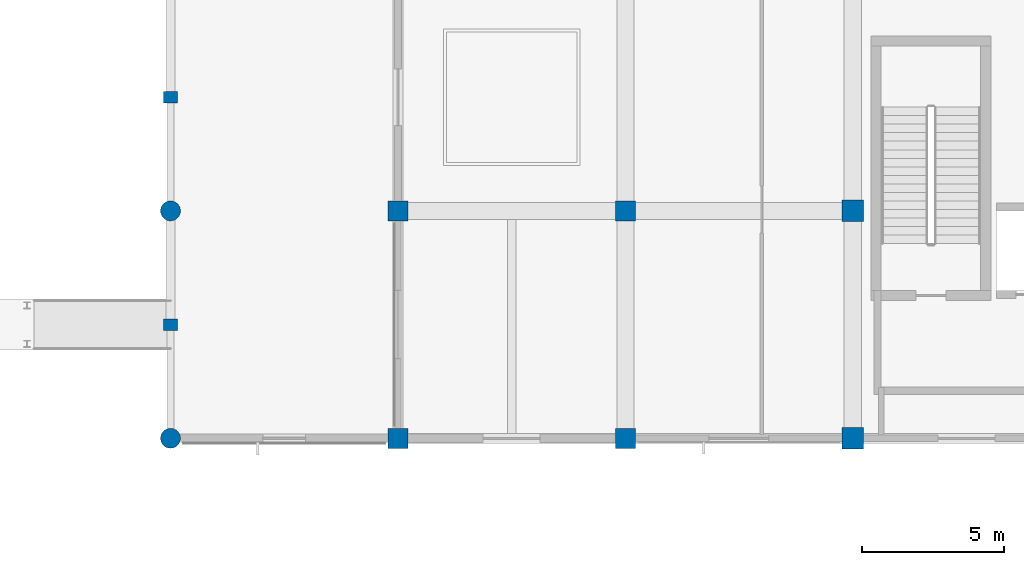
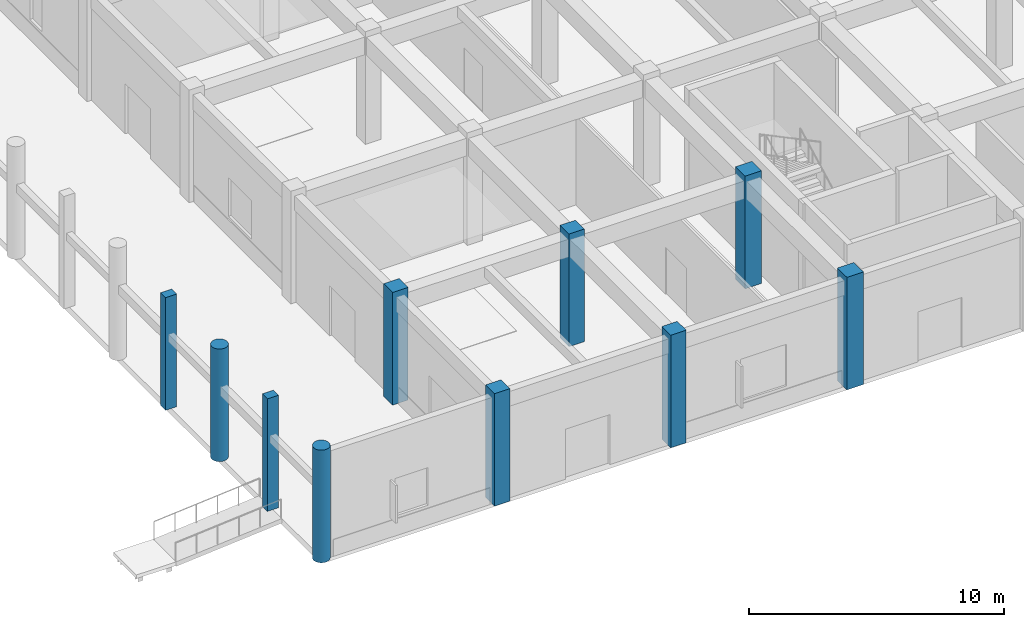
# One storey, part 1 of 86: 10 columns.
"""IFC4 building model written with IfcOpenShell, lengths in metres."""

import ifcopenshell
import ifcopenshell.guid

model = None  # the IFC model being written
_history = None  # IfcOwnerHistory: only IFC2X3 demands one
_inside = {}  # id of a spatial element -> (the spatial element, [elements in it])
_under = {}  # id of a project, library or spatial element -> (it, [spatial elements below it])
_declared = {}  # id of a project -> (the project, [libraries it declares])
_typed = {}  # id of a type object -> (the type object, [elements of that type])
_made_of = {}  # id of a material, layer set ... -> (it, [elements and type objects made of it])


def new_model(schema):
    """Start an empty IFC model of exactly this schema.

    Asked for "IFC4X3", IfcOpenShell would pick the latest addendum, in which some entities
    have other attributes; the version numbers below select the first issue.
    IFC2X3 requires an IfcOwnerHistory on every rooted entity: one is made here for all.
    """
    global model, _history
    if schema == "IFC4X3":
        model = ifcopenshell.file(schema_version=(4, 3, 0, 0))
    else:
        model = ifcopenshell.file(schema=schema)
    _inside.clear()
    _under.clear()
    _declared.clear()
    _typed.clear()
    _made_of.clear()
    _history = None
    if model.schema == "IFC2X3":
        org = make("IfcOrganization", Name="unknown")
        user = make(
            "IfcPersonAndOrganization",
            ThePerson=make("IfcPerson", FamilyName="unknown"),
            TheOrganization=org,
        )
        app = make(
            "IfcApplication",
            ApplicationDeveloper=org,
            Version="unknown",
            ApplicationFullName="unknown",
            ApplicationIdentifier="unknown",
        )
        _history = make(
            "IfcOwnerHistory",
            OwningUser=user,
            OwningApplication=app,
            ChangeAction="ADDED",
            CreationDate=0,
        )
    return model


def make(cls, **values):
    """One entity of the class cls with the attributes given. An attribute that is None is left unset."""
    return model.create_entity(
        cls, **{name: value for name, value in values.items() if value is not None}
    )


def rooted(cls, **values):
    """An entity with a GlobalId (a new one), such as an element, a storey or a relation."""
    return make(cls, GlobalId=ifcopenshell.guid.new(), OwnerHistory=_history, **values)


def si_unit(unit_type, name, prefix=None):
    """IfcSIUnit, for example si_unit("LENGTHUNIT", "METRE", prefix="MILLI")."""
    return make("IfcSIUnit", UnitType=unit_type, Prefix=prefix, Name=name)


def assignment(units):
    """IfcUnitAssignment: the units of a project."""
    return None if units is None else make("IfcUnitAssignment", Units=units)


def point(xyz):
    """IfcCartesianPoint."""
    return None if xyz is None else make("IfcCartesianPoint", Coordinates=xyz)


def direction(xyz):
    """IfcDirection."""
    return None if xyz is None else make("IfcDirection", DirectionRatios=xyz)


def frame(location, z_axis=None, x_axis=None):
    """IfcAxis2Placement3D, a coordinate frame: its origin and axes. An axis left out is left unset."""
    return make(
        "IfcAxis2Placement3D",
        Location=point(location),
        Axis=direction(z_axis),
        RefDirection=direction(x_axis),
    )


def frame_2d(location, x_axis=None):
    """IfcAxis2Placement2D, a coordinate frame in the plane: its origin and x axis."""
    return make(
        "IfcAxis2Placement2D", Location=point(location), RefDirection=direction(x_axis)
    )


def origin():
    """The frame at (0, 0, 0) with its axes left unset."""
    return frame((0.0, 0.0, 0.0))


def origin_2d():
    """The frame at (0, 0) in the plane with its x axis left unset."""
    return frame_2d((0.0, 0.0))


def place(relative_to, where):
    """IfcLocalPlacement: puts the frame where relative to a parent placement (None: the world)."""
    return make(
        "IfcLocalPlacement", PlacementRelTo=relative_to, RelativePlacement=where
    )


def context(
    kind, dimensions, precision=None, world=None, true_north=None, identifier=None
):
    """IfcGeometricRepresentationContext, for example the 3D "Model" context."""
    return make(
        "IfcGeometricRepresentationContext",
        ContextIdentifier=identifier,
        ContextType=kind,
        CoordinateSpaceDimension=dimensions,
        Precision=precision,
        WorldCoordinateSystem=world,
        TrueNorth=true_north,
    )


def subcontext(parent, identifier, kind, view, scale=None):
    """IfcGeometricRepresentationSubContext, for example "Body" below "Model"."""
    return make(
        "IfcGeometricRepresentationSubContext",
        ContextIdentifier=identifier,
        ContextType=kind,
        ParentContext=parent,
        TargetScale=scale,
        TargetView=view,
    )


def project(units=None, contexts=None):
    """IfcProject with its units and contexts."""
    return rooted(
        "IfcProject",
        Name="project",
        RepresentationContexts=contexts,
        UnitsInContext=assignment(units),
    )


def spatial(cls, under=None, at=None, **own):
    """A site, building, storey or space (cls), placed at a placement, below another one or the project."""
    s = rooted(cls, ObjectPlacement=at, **own)
    if under is not None:
        _under.setdefault(under.id(), (under, []))[1].append(s)
    return s


def profile(cls, at=None, kind="AREA", **sizes):
    """A parametric profile (cls). Its sizes go by their IFC names, for example OverallWidth=200.0."""
    return make(cls, ProfileType=kind, Position=at, **sizes)


def rectangle(**sizes):
    """IfcRectangleProfileDef."""
    return profile("IfcRectangleProfileDef", **sizes)


def circle(**sizes):
    """IfcCircleProfileDef."""
    return profile("IfcCircleProfileDef", **sizes)


def extrude(swept, where, along, depth):
    """IfcExtrudedAreaSolid: the profile swept, set in the frame where, extruded along a direction by depth."""
    return make(
        "IfcExtrudedAreaSolid",
        SweptArea=swept,
        Position=where,
        ExtrudedDirection=direction(along),
        Depth=depth,
    )


def shape(context_of_items, identifier, shape_type, items):
    """IfcShapeRepresentation: the items that make up one representation, for example the "Body"."""
    return make(
        "IfcShapeRepresentation",
        ContextOfItems=context_of_items,
        RepresentationIdentifier=identifier,
        RepresentationType=shape_type,
        Items=items,
    )


def material(Name=None, Category=None):
    """IfcMaterial."""
    return make("IfcMaterial", Name=Name, Category=Category)


def material_profile(
    of_material, cross_section, Name=None, Category=None, Priority=None
):
    """IfcMaterialProfile: a cross section and its material."""
    return make(
        "IfcMaterialProfile",
        Name=Name,
        Material=of_material,
        Profile=cross_section,
        Priority=Priority,
        Category=Category,
    )


def profile_set(profiles, Name=None, composite=None):
    """IfcMaterialProfileSet."""
    return make(
        "IfcMaterialProfileSet",
        Name=Name,
        MaterialProfiles=profiles,
        CompositeProfile=composite,
    )


def made_of(thing, what):
    """Note that an element or type object is made of a material, layer set ...; save() writes the relation."""
    if what is not None:
        _made_of.setdefault(what.id(), (what, []))[1].append(thing)
    return thing


def type_object(cls, material=None, **own):
    """A type object (cls), such as IfcWallType, which elements share."""
    return made_of(rooted(cls, **own), material)


def element(
    cls,
    number,
    at=None,
    inside=None,
    cuts=None,
    type_object=None,
    material=None,
    context=None,
    identifier="Body",
    shape_type=None,
    held_by="IfcProductDefinitionShape",
    body=None,
    shapes=None,
    **own,
):
    """One element of the class cls, such as IfcWall. Its Tag is "e" and its number.

    at: its placement. inside: the storey or other place that contains it. cuts: it is an
    opening in that element (IfcRelVoidsElement). A single representation is given by context,
    identifier, shape_type and body (its items); several are given by shapes. held_by: the class
    of the entity that holds the representations. save() writes the other relations.
    """
    e = rooted(cls, Tag="e%d" % number, ObjectPlacement=at, **own)
    if body is not None:
        shapes = [shape(context, identifier, shape_type, body)]
    if shapes is not None:
        e.Representation = make(held_by, Representations=shapes)
    if inside is not None:
        _inside.setdefault(inside.id(), (inside, []))[1].append(e)
    if cuts is not None:
        rooted(
            "IfcRelVoidsElement", RelatingBuildingElement=cuts, RelatedOpeningElement=e
        )
    if type_object is not None:
        _typed.setdefault(type_object.id(), (type_object, []))[1].append(e)
    return made_of(e, material)


def aggregate(whole, parts):
    """IfcRelAggregates: a whole, such as a stair, and the parts it consists of."""
    return rooted("IfcRelAggregates", RelatingObject=whole, RelatedObjects=parts)


def save(model, path):
    """Write the relations noted so far, then the file.

    IfcRelAggregates (storeys below a building ...), IfcRelContainedInSpatialStructure (elements
    in a storey), IfcRelDefinesByType, IfcRelAssociatesMaterial and IfcRelDeclares: one each for
    every whole, place, type object, material and project.
    """
    for whole, parts in _under.values():
        aggregate(whole, parts)
    for where, things in _inside.values():
        rooted(
            "IfcRelContainedInSpatialStructure",
            RelatedElements=things,
            RelatingStructure=where,
        )
    for kind, things in _typed.values():
        rooted("IfcRelDefinesByType", RelatedObjects=things, RelatingType=kind)
    for what, things in _made_of.values():
        rooted("IfcRelAssociatesMaterial", RelatedObjects=things, RelatingMaterial=what)
    for by, libraries in _declared.values():
        rooted("IfcRelDeclares", RelatingContext=by, RelatedDefinitions=libraries)
    model.write(path)


model = new_model("IFC4")

# Units and contexts
model_context = context("Model", 3, precision=1e-05, world=origin(), true_north=direction((0.0, 1.0)))
body_context = subcontext(model_context, "Body", "Model", "MODEL_VIEW")
ifc_project = project(units=[si_unit("LENGTHUNIT", "METRE"), si_unit("AREAUNIT", "SQUARE_METRE"), si_unit("VOLUMEUNIT", "CUBIC_METRE"), si_unit("PLANEANGLEUNIT", "RADIAN"), si_unit("MASSUNIT", "GRAM", prefix="KILO")], contexts=[model_context])

# Site, building, storey
site_placement = place(None, origin())
site = spatial("IfcSite", under=ifc_project, at=site_placement, CompositionType="ELEMENT")
building_placement = place(site_placement, origin())
building = spatial("IfcBuilding", under=site, at=building_placement, Name="Kenh Van Central Station", CompositionType="ELEMENT")
storey_placement = place(building_placement, origin())
storey = spatial("IfcBuildingStorey", under=building, at=storey_placement, Name="L00", CompositionType="ELEMENT", Elevation=0.0)

# Columns
ifc_material_1 = material(Name="Concrete C40/50", Category="concrete")
ifc_material_profile_1 = material_profile(ifc_material_1, rectangle(XDim=0.699951171875, YDim=0.699951171875, at=origin_2d()), Name="RC 700x700")
ifc_profile_set_1 = profile_set([ifc_material_profile_1], Name="Concrete C40/50")
column_type_1 = type_object("IfcColumnType", Name="COL-RC-700x700", PredefinedType="COLUMN", material=ifc_profile_set_1)
for number, where, z_axis, x_axis, name in (
    (1, (8.0, 8.0, 0.0), (0.0, 0.0, 1.0), (1.0, 0.0, 0.0), "L00 column CW-008-008"),
    (2, (8.0, 16.0, 0.0), (0.0, 0.0, 1.0), (1.0, 0.0, 0.0), "L00 column CW-008-016"),
    (3, (16.0, 8.0, 0.0), (0.0, 0.0, 1.0), (1.0, 0.0, 0.0), "L00 column CW-016-008"),
    (4, (16.0, 16.0, 0.0), (0.0, 0.0, 1.0), (1.0, 0.0, 0.0), "L00 column CW-016-016"),
):
    element("IfcColumn", number, at=place(storey_placement, frame(where, z_axis=z_axis, x_axis=x_axis)), inside=storey, type_object=column_type_1, Name=name, PredefinedType="COLUMN", context=body_context, shape_type="SweptSolid", body=[
        extrude(rectangle(XDim=0.699951171875, YDim=0.699951171875, at=origin_2d()), origin(), (0.0, 0.0, 1.0), 5.39990234375),
    ])
ifc_material_profile_2 = material_profile(ifc_material_1, rectangle(XDim=0.75, YDim=0.75, at=origin_2d()), Name="RC 750x750")
ifc_profile_set_2 = profile_set([ifc_material_profile_2], Name="Concrete C40/50")
column_type_2 = type_object("IfcColumnType", Name="COL-RC-750x750", PredefinedType="COLUMN", material=ifc_profile_set_2)
for number, where, z_axis, x_axis, name in (
    (5, (24.0, 8.0, 0.0), (0.0, 0.0, 1.0), (1.0, 0.0, 0.0), "L00 column CW-024-008"),
    (6, (24.0, 16.0, 0.0), (0.0, 0.0, 1.0), (1.0, 0.0, 0.0), "L00 column CW-024-016"),
):
    element("IfcColumn", number, at=place(storey_placement, frame(where, z_axis=z_axis, x_axis=x_axis)), inside=storey, type_object=column_type_2, Name=name, PredefinedType="COLUMN", context=body_context, shape_type="SweptSolid", body=[
        extrude(rectangle(XDim=0.75, YDim=0.75, at=origin_2d()), origin(), (0.0, 0.0, 1.0), 5.39990234375),
    ])
ifc_material_profile_3 = material_profile(ifc_material_1, circle(Radius=0.35009765625, at=origin_2d()), Name="RC D700")
ifc_profile_set_3 = profile_set([ifc_material_profile_3], Name="Concrete C40/50")
column_type_3 = type_object("IfcColumnType", Name="COL-RC-D700", PredefinedType="COLUMN", material=ifc_profile_set_3)
for number, where, z_axis, x_axis, name in (
    (7, (0.0, 8.0, 0.0), (0.0, 0.0, 1.0), (1.0, 0.0, 0.0), "L00 column CW-000-008"),
    (8, (0.0, 16.0, 0.0), (0.0, 0.0, 1.0), (1.0, 0.0, 0.0), "L00 column CW-000-016"),
):
    element("IfcColumn", number, at=place(storey_placement, frame(where, z_axis=z_axis, x_axis=x_axis)), inside=storey, type_object=column_type_3, Name=name, PredefinedType="COLUMN", context=body_context, shape_type="SweptSolid", body=[
        extrude(circle(Radius=0.35009765625, at=origin_2d()), origin(), (0.0, 0.0, 1.0), 5.39990234375),
    ])
ifc_material_2 = material(Name="Concrete C35/45", Category="concrete")
ifc_material_profile_4 = material_profile(ifc_material_2, rectangle(XDim=0.5, YDim=0.39990234375, at=origin_2d()), Name="RC 500x400")
ifc_profile_set_4 = profile_set([ifc_material_profile_4], Name="Concrete C35/45")
column_type_4 = type_object("IfcColumnType", Name="PIL-RC-500x400", PredefinedType="PILASTER", material=ifc_profile_set_4)
for number, where, z_axis, x_axis, name in (
    (9, (0.0, 12.0, 0.0), (0.0, 0.0, 1.0), (1.0, 0.0, 0.0), "L00 column PIL-W-00"),
    (10, (0.0, 20.0, 0.0), (0.0, 0.0, 1.0), (1.0, 0.0, 0.0), "L00 column PIL-W-01"),
):
    element("IfcColumn", number, at=place(storey_placement, frame(where, z_axis=z_axis, x_axis=x_axis)), inside=storey, type_object=column_type_4, Name=name, PredefinedType="PILASTER", context=body_context, shape_type="SweptSolid", body=[
        extrude(rectangle(XDim=0.5, YDim=0.39990234375, at=origin_2d()), origin(), (0.0, 0.0, 1.0), 5.39990234375),
    ])

save(model, "model.ifc")
